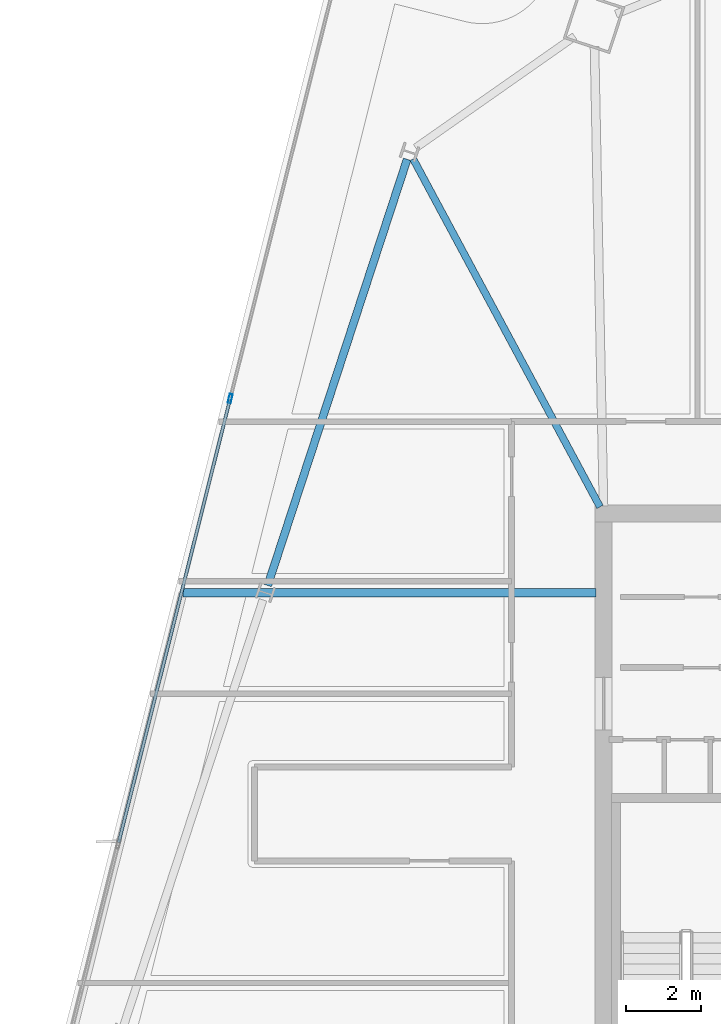
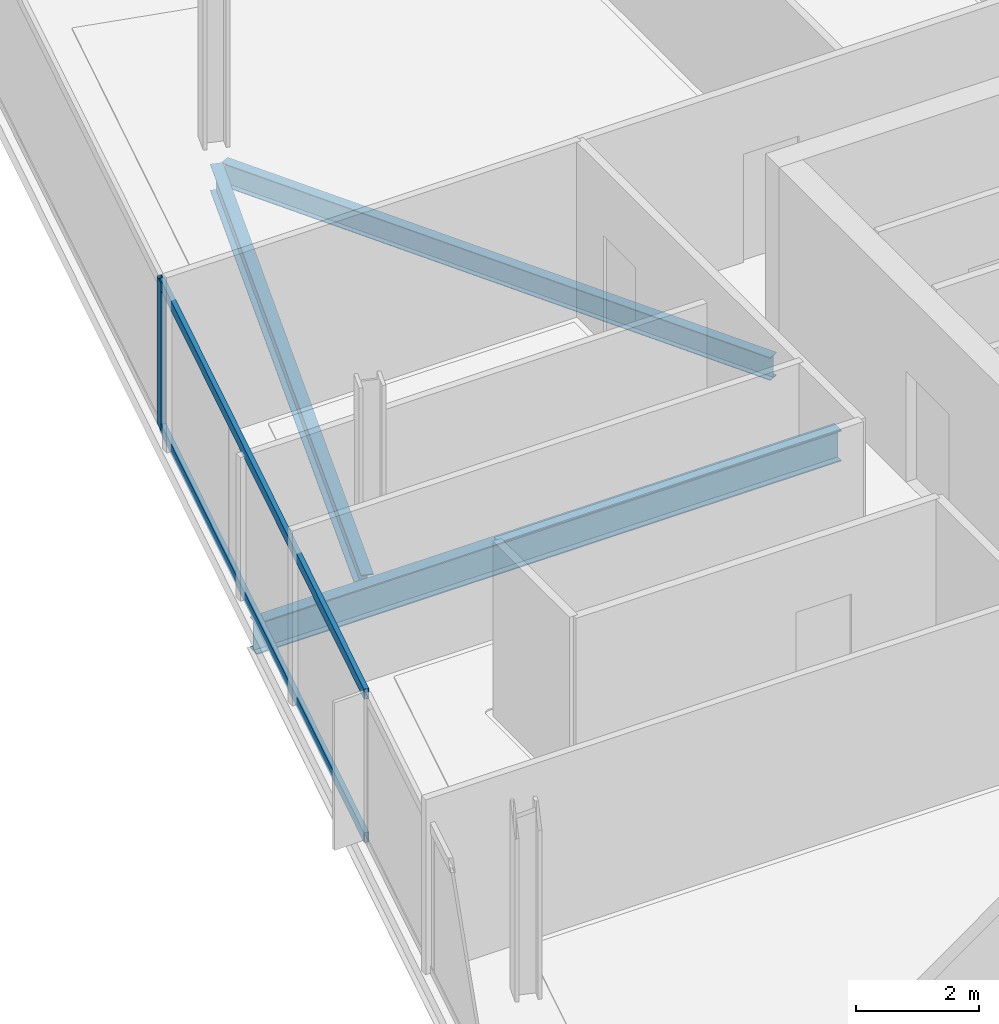
# One storey, part 12 of 28: 3 beams, 3 members, 1 element without a shape of its own.
"""IFC4 building model written with IfcOpenShell, lengths in metres."""

import ifcopenshell
import ifcopenshell.guid

model = None  # the IFC model being written
_history = None  # IfcOwnerHistory: only IFC2X3 demands one
_inside = {}  # id of a spatial element -> (the spatial element, [elements in it])
_under = {}  # id of a project, library or spatial element -> (it, [spatial elements below it])
_declared = {}  # id of a project -> (the project, [libraries it declares])
_typed = {}  # id of a type object -> (the type object, [elements of that type])
_made_of = {}  # id of a material, layer set ... -> (it, [elements and type objects made of it])


def new_model(schema):
    """Start an empty IFC model of exactly this schema.

    Asked for "IFC4X3", IfcOpenShell would pick the latest addendum, in which some entities
    have other attributes; the version numbers below select the first issue.
    IFC2X3 requires an IfcOwnerHistory on every rooted entity: one is made here for all.
    """
    global model, _history
    if schema == "IFC4X3":
        model = ifcopenshell.file(schema_version=(4, 3, 0, 0))
    else:
        model = ifcopenshell.file(schema=schema)
    _inside.clear()
    _under.clear()
    _declared.clear()
    _typed.clear()
    _made_of.clear()
    _history = None
    if model.schema == "IFC2X3":
        org = make("IfcOrganization", Name="unknown")
        user = make(
            "IfcPersonAndOrganization",
            ThePerson=make("IfcPerson", FamilyName="unknown"),
            TheOrganization=org,
        )
        app = make(
            "IfcApplication",
            ApplicationDeveloper=org,
            Version="unknown",
            ApplicationFullName="unknown",
            ApplicationIdentifier="unknown",
        )
        _history = make(
            "IfcOwnerHistory",
            OwningUser=user,
            OwningApplication=app,
            ChangeAction="ADDED",
            CreationDate=0,
        )
    return model


def make(cls, **values):
    """One entity of the class cls with the attributes given. An attribute that is None is left unset."""
    return model.create_entity(
        cls, **{name: value for name, value in values.items() if value is not None}
    )


def rooted(cls, **values):
    """An entity with a GlobalId (a new one), such as an element, a storey or a relation."""
    return make(cls, GlobalId=ifcopenshell.guid.new(), OwnerHistory=_history, **values)


def si_unit(unit_type, name, prefix=None):
    """IfcSIUnit, for example si_unit("LENGTHUNIT", "METRE", prefix="MILLI")."""
    return make("IfcSIUnit", UnitType=unit_type, Prefix=prefix, Name=name)


def assignment(units):
    """IfcUnitAssignment: the units of a project."""
    return None if units is None else make("IfcUnitAssignment", Units=units)


def point(xyz):
    """IfcCartesianPoint."""
    return None if xyz is None else make("IfcCartesianPoint", Coordinates=xyz)


def direction(xyz):
    """IfcDirection."""
    return None if xyz is None else make("IfcDirection", DirectionRatios=xyz)


def frame(location, z_axis=None, x_axis=None):
    """IfcAxis2Placement3D, a coordinate frame: its origin and axes. An axis left out is left unset."""
    return make(
        "IfcAxis2Placement3D",
        Location=point(location),
        Axis=direction(z_axis),
        RefDirection=direction(x_axis),
    )


def frame_2d(location, x_axis=None):
    """IfcAxis2Placement2D, a coordinate frame in the plane: its origin and x axis."""
    return make(
        "IfcAxis2Placement2D", Location=point(location), RefDirection=direction(x_axis)
    )


def origin():
    """The frame at (0, 0, 0) with its axes left unset."""
    return frame((0.0, 0.0, 0.0))


def origin_2d():
    """The frame at (0, 0) in the plane with its x axis left unset."""
    return frame_2d((0.0, 0.0))


def place(relative_to, where):
    """IfcLocalPlacement: puts the frame where relative to a parent placement (None: the world)."""
    return make(
        "IfcLocalPlacement", PlacementRelTo=relative_to, RelativePlacement=where
    )


def context(
    kind, dimensions, precision=None, world=None, true_north=None, identifier=None
):
    """IfcGeometricRepresentationContext, for example the 3D "Model" context."""
    return make(
        "IfcGeometricRepresentationContext",
        ContextIdentifier=identifier,
        ContextType=kind,
        CoordinateSpaceDimension=dimensions,
        Precision=precision,
        WorldCoordinateSystem=world,
        TrueNorth=true_north,
    )


def subcontext(parent, identifier, kind, view, scale=None):
    """IfcGeometricRepresentationSubContext, for example "Body" below "Model"."""
    return make(
        "IfcGeometricRepresentationSubContext",
        ContextIdentifier=identifier,
        ContextType=kind,
        ParentContext=parent,
        TargetScale=scale,
        TargetView=view,
    )


def project(units=None, contexts=None):
    """IfcProject with its units and contexts."""
    return rooted(
        "IfcProject",
        Name="project",
        RepresentationContexts=contexts,
        UnitsInContext=assignment(units),
    )


def spatial(cls, under=None, at=None, **own):
    """A site, building, storey or space (cls), placed at a placement, below another one or the project."""
    s = rooted(cls, ObjectPlacement=at, **own)
    if under is not None:
        _under.setdefault(under.id(), (under, []))[1].append(s)
    return s


def profile(cls, at=None, kind="AREA", **sizes):
    """A parametric profile (cls). Its sizes go by their IFC names, for example OverallWidth=200.0."""
    return make(cls, ProfileType=kind, Position=at, **sizes)


def hollow_rectangle(**sizes):
    """IfcRectangleHollowProfileDef."""
    return profile("IfcRectangleHollowProfileDef", **sizes)


def i_section(**sizes):
    """IfcIShapeProfileDef."""
    return profile("IfcIShapeProfileDef", **sizes)


def extrude(swept, where, along, depth):
    """IfcExtrudedAreaSolid: the profile swept, set in the frame where, extruded along a direction by depth."""
    return make(
        "IfcExtrudedAreaSolid",
        SweptArea=swept,
        Position=where,
        ExtrudedDirection=direction(along),
        Depth=depth,
    )


def shape(context_of_items, identifier, shape_type, items):
    """IfcShapeRepresentation: the items that make up one representation, for example the "Body"."""
    return make(
        "IfcShapeRepresentation",
        ContextOfItems=context_of_items,
        RepresentationIdentifier=identifier,
        RepresentationType=shape_type,
        Items=items,
    )


def material(Name=None, Category=None):
    """IfcMaterial."""
    return make("IfcMaterial", Name=Name, Category=Category)


def material_profile(
    of_material, cross_section, Name=None, Category=None, Priority=None
):
    """IfcMaterialProfile: a cross section and its material."""
    return make(
        "IfcMaterialProfile",
        Name=Name,
        Material=of_material,
        Profile=cross_section,
        Priority=Priority,
        Category=Category,
    )


def profile_set(profiles, Name=None, composite=None):
    """IfcMaterialProfileSet."""
    return make(
        "IfcMaterialProfileSet",
        Name=Name,
        MaterialProfiles=profiles,
        CompositeProfile=composite,
    )


def made_of(thing, what):
    """Note that an element or type object is made of a material, layer set ...; save() writes the relation."""
    if what is not None:
        _made_of.setdefault(what.id(), (what, []))[1].append(thing)
    return thing


def type_object(cls, material=None, **own):
    """A type object (cls), such as IfcWallType, which elements share."""
    return made_of(rooted(cls, **own), material)


def element(
    cls,
    number,
    at=None,
    inside=None,
    cuts=None,
    type_object=None,
    material=None,
    context=None,
    identifier="Body",
    shape_type=None,
    held_by="IfcProductDefinitionShape",
    body=None,
    shapes=None,
    **own,
):
    """One element of the class cls, such as IfcWall. Its Tag is "e" and its number.

    at: its placement. inside: the storey or other place that contains it. cuts: it is an
    opening in that element (IfcRelVoidsElement). A single representation is given by context,
    identifier, shape_type and body (its items); several are given by shapes. held_by: the class
    of the entity that holds the representations. save() writes the other relations.
    """
    e = rooted(cls, Tag="e%d" % number, ObjectPlacement=at, **own)
    if body is not None:
        shapes = [shape(context, identifier, shape_type, body)]
    if shapes is not None:
        e.Representation = make(held_by, Representations=shapes)
    if inside is not None:
        _inside.setdefault(inside.id(), (inside, []))[1].append(e)
    if cuts is not None:
        rooted(
            "IfcRelVoidsElement", RelatingBuildingElement=cuts, RelatedOpeningElement=e
        )
    if type_object is not None:
        _typed.setdefault(type_object.id(), (type_object, []))[1].append(e)
    return made_of(e, material)


def aggregate(whole, parts):
    """IfcRelAggregates: a whole, such as a stair, and the parts it consists of."""
    return rooted("IfcRelAggregates", RelatingObject=whole, RelatedObjects=parts)


def save(model, path):
    """Write the relations noted so far, then the file.

    IfcRelAggregates (storeys below a building ...), IfcRelContainedInSpatialStructure (elements
    in a storey), IfcRelDefinesByType, IfcRelAssociatesMaterial and IfcRelDeclares: one each for
    every whole, place, type object, material and project.
    """
    for whole, parts in _under.values():
        aggregate(whole, parts)
    for where, things in _inside.values():
        rooted(
            "IfcRelContainedInSpatialStructure",
            RelatedElements=things,
            RelatingStructure=where,
        )
    for kind, things in _typed.values():
        rooted("IfcRelDefinesByType", RelatedObjects=things, RelatingType=kind)
    for what, things in _made_of.values():
        rooted("IfcRelAssociatesMaterial", RelatedObjects=things, RelatingMaterial=what)
    for by, libraries in _declared.values():
        rooted("IfcRelDeclares", RelatingContext=by, RelatedDefinitions=libraries)
    model.write(path)


model = new_model("IFC4")

# Units and contexts
model_context = context("Model", 3, precision=1e-05, world=origin(), true_north=direction((0.0, 1.0)))
body_context = subcontext(model_context, "Body", "Model", "MODEL_VIEW")
ifc_project = project(units=[si_unit("LENGTHUNIT", "METRE"), si_unit("AREAUNIT", "SQUARE_METRE"), si_unit("VOLUMEUNIT", "CUBIC_METRE"), si_unit("PLANEANGLEUNIT", "RADIAN"), si_unit("MASSUNIT", "GRAM", prefix="KILO")], contexts=[model_context])

# Site, building, storey
site_placement = place(None, origin())
site = spatial("IfcSite", under=ifc_project, at=site_placement, CompositionType="ELEMENT")
building_placement = place(site_placement, origin())
building = spatial("IfcBuilding", under=site, at=building_placement, Name="Haldenkirk Collegiate Tower", CompositionType="ELEMENT")
storey_placement = place(building_placement, frame((0.0, 0.0, 282.449951171875)))
storey = spatial("IfcBuildingStorey", under=building, at=storey_placement, Name="L71", CompositionType="ELEMENT", Elevation=282.449951171875)

# Beams
ifc_material_1 = material(Name="Steel ASTM A992 Grade 50", Category="steel")
ifc_material_profile_1 = material_profile(ifc_material_1, i_section(OverallWidth=0.22998046875, OverallDepth=0.616943359375, WebThickness=0.01318359375, FlangeThickness=0.022216796875, at=origin_2d()), Name="W24X94")
ifc_profile_set_1 = profile_set([ifc_material_profile_1], Name="Steel ASTM A992 Grade 50")
beam_type_1 = type_object("IfcBeamType", Name="BM-GIRDER-W24X94", PredefinedType="BEAM", material=ifc_profile_set_1)
beam_1_placement = place(storey_placement, frame((15.797119140625, 31.8935546875, -0.578369140625), z_axis=(1.0, 0.0, 0.0), x_axis=(0.0, 1.0, 0.0)))
element("IfcBeam", 1, at=beam_1_placement, inside=storey, type_object=beam_type_1, Name="L71 primary floor girder 12", PredefinedType="BEAM", context=body_context, shape_type="SweptSolid", body=[
    extrude(i_section(OverallWidth=0.22998046875, OverallDepth=0.616943359375, WebThickness=0.01318359375, FlangeThickness=0.022216796875, at=origin_2d()), origin(), (0.0, 0.0, 1.0), 10.997802734375),
])
ifc_material_profile_2 = material_profile(ifc_material_1, i_section(OverallWidth=0.18994140625, OverallDepth=0.45703125, WebThickness=0.009033203125, FlangeThickness=0.014404296875, at=origin_2d()), Name="W18X50")
ifc_profile_set_2 = profile_set([ifc_material_profile_2], Name="Steel ASTM A992 Grade 50")
beam_type_2 = type_object("IfcBeamType", Name="BM-JOIST-W18X50", PredefinedType="JOIST", material=ifc_profile_set_2)
beam_2_placement = place(storey_placement, frame((21.92578125, 43.45068359375, -0.49853515625), z_axis=(0.473049262391, -0.881035978466, 0.0), x_axis=(0.881035978466, 0.473049262391, 0.0)))
element("IfcBeam", 2, at=beam_2_placement, inside=storey, type_object=beam_type_2, Name="L71 composite floor joist 11", PredefinedType="JOIST", context=body_context, shape_type="SweptSolid", body=[
    extrude(i_section(OverallWidth=0.18994140625, OverallDepth=0.45703125, WebThickness=0.009033203125, FlangeThickness=0.014404296875, at=origin_2d()), origin(), (0.0, 0.0, 1.0), 10.521728515625),
])
ifc_material_profile_3 = material_profile(ifc_material_1, i_section(OverallWidth=0.2099609375, OverallDepth=0.537109375, WebThickness=0.010986328125, FlangeThickness=0.017333984375, at=origin_2d()), Name="W21X68")
ifc_profile_set_3 = profile_set([ifc_material_profile_3], Name="Steel ASTM A992 Grade 50")
beam_type_3 = type_object("IfcBeamType", Name="BM-SPANDREL-W21X68", PredefinedType="SPANDREL", material=ifc_profile_set_3)
beam_3_placement = place(storey_placement, frame((21.76708984375, 43.436767578125, -0.538330078125), z_axis=(-0.311010188249, -0.950406577631, 0.0), x_axis=(0.950406577631, -0.311010188249, 0.0)))
element("IfcBeam", 3, at=beam_3_placement, inside=storey, type_object=beam_type_3, Name="L71 perimeter spandrel beam 10", PredefinedType="SPANDREL", context=body_context, shape_type="SweptSolid", body=[
    extrude(i_section(OverallWidth=0.2099609375, OverallDepth=0.537109375, WebThickness=0.010986328125, FlangeThickness=0.017333984375, at=origin_2d()), origin(), (0.0, 0.0, 1.0), 11.94287109375),
])

# Curtain wall, members
ifc_material_2 = material(Name="Anodised architectural bronze aluminium", Category="aluminium")
curtain_wall_type = type_object("IfcCurtainWallType", Name="CW-SYS1B-CONVEX-HI", PredefinedType="USERDEFINED", material=ifc_material_2)
curtain_wall_placement = place(storey_placement, origin())
curtain_wall = element("IfcCurtainWall", 4, at=curtain_wall_placement, inside=storey, type_object=curtain_wall_type, Name="L71 Upper tower high-wind convex bronze unitised curtain wall", ObjectType="UNITISED CURTAIN WALL", PredefinedType="USERDEFINED")
ifc_material_profile_4 = material_profile(ifc_material_2, hollow_rectangle(XDim=0.0849609375, YDim=0.25, WallThickness=0.0048828125, at=origin_2d()), Name="CW-MUL-1B")
ifc_profile_set_4 = profile_set([ifc_material_profile_4], Name="Anodised architectural bronze aluminium")
member_type_1 = type_object("IfcMemberType", Name="CW-MUL-1B", PredefinedType="MULLION", material=ifc_profile_set_4)
member_1_placement = place(storey_placement, frame((17.054931640625, 37.0654296875, 0.0), z_axis=(0.0, 0.0, 1.0), x_axis=(-0.969872467161, 0.243613212786, 0.0)))
member_1 = element("IfcMember", 5, at=member_1_placement, type_object=member_type_1, Name="CW-1B mullion 3", PredefinedType="MULLION", context=body_context, shape_type="SweptSolid", body=[
    extrude(hollow_rectangle(XDim=0.0849609375, YDim=0.25, WallThickness=0.0048828125, at=origin_2d()), origin(), (0.0, 0.0, 1.0), 2.93798828125),
])
ifc_material_profile_5 = material_profile(ifc_material_2, hollow_rectangle(XDim=0.0849609375, YDim=0.199951171875, WallThickness=0.0048828125, at=origin_2d()), Name="CW-TRN-1B")
ifc_profile_set_5 = profile_set([ifc_material_profile_5], Name="Anodised architectural bronze aluminium")
member_type_2 = type_object("IfcMemberType", Name="CW-TRN-1B", PredefinedType="USERDEFINED", material=ifc_profile_set_5)
member_2_placement = place(storey_placement, frame((14.0849609375, 25.24169921875, 0.04248046875), z_axis=(0.2436088621, 0.969873559958, 0.0), x_axis=(-0.969873559958, 0.2436088621, 0.0)))
member_2 = element("IfcMember", 6, at=member_2_placement, type_object=member_type_2, Name="CW-1B transom 2.1", ObjectType="TRANSOM", PredefinedType="USERDEFINED", context=body_context, shape_type="SweptSolid", body=[
    extrude(hollow_rectangle(XDim=0.0849609375, YDim=0.199951171875, WallThickness=0.0048828125, at=origin_2d()), origin(), (0.0, 0.0, 1.0), 12.1484375),
])
member_3_placement = place(storey_placement, frame((14.0849609375, 25.24169921875, 2.8955078125), z_axis=(0.2436088621, 0.969873559958, 0.0), x_axis=(-0.969873559958, 0.2436088621, 0.0)))
member_3 = element("IfcMember", 7, at=member_3_placement, type_object=member_type_2, Name="CW-1B transom 2.2", ObjectType="TRANSOM", PredefinedType="USERDEFINED", context=body_context, shape_type="SweptSolid", body=[
    extrude(hollow_rectangle(XDim=0.0849609375, YDim=0.199951171875, WallThickness=0.0048828125, at=origin_2d()), origin(), (0.0, 0.0, 1.0), 12.1484375),
])
aggregate(curtain_wall, [member_1, member_2, member_3])

save(model, "model.ifc")
